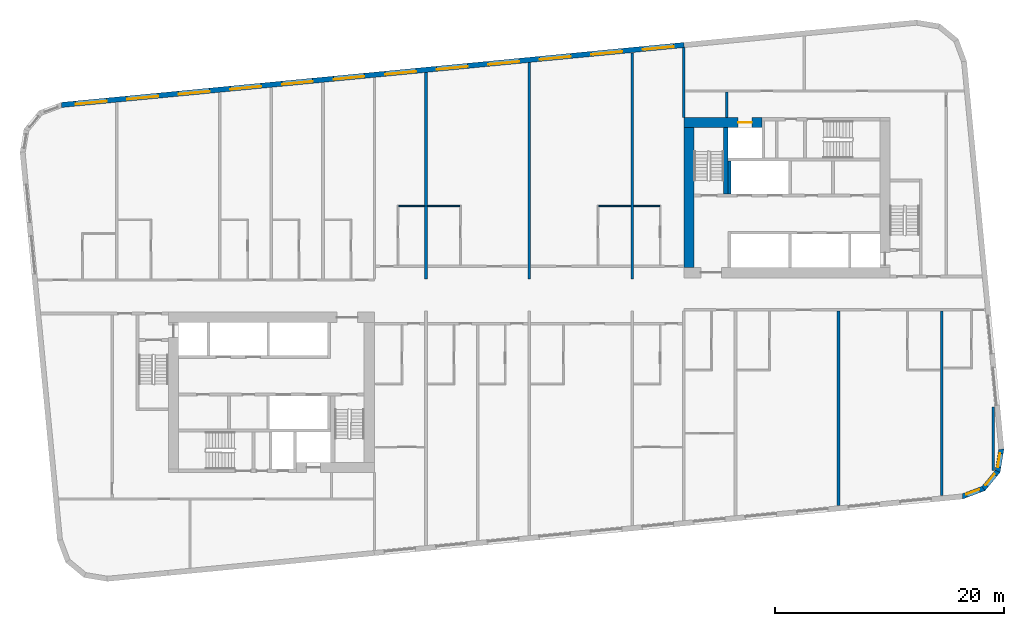
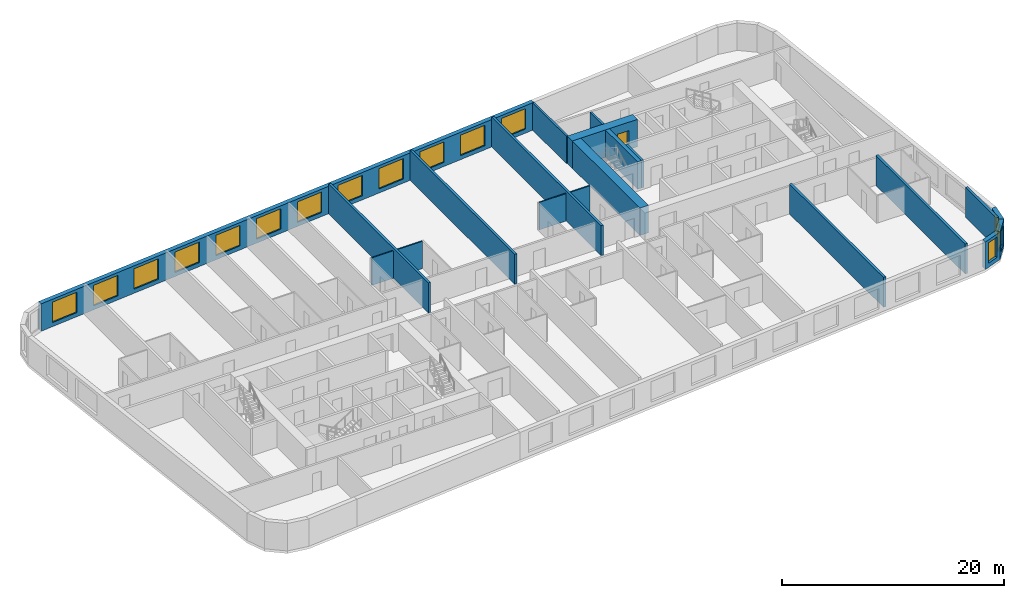
# One storey, part 6 of 12: 20 walls, 15 windows, 1 door, 16 openings.
"""IFC4 building model written with IfcOpenShell, lengths in metres."""

from ifc_helpers import new_model, si_unit, direction, frame, frame_2d, origin, place, context, subcontext, project, spatial, polyline, rectangle, outline, extrude, material, layer, layer_set, type_object, element, fill, save


model = new_model("IFC4")

# Units and contexts
model_context = context("Model", 3, precision=1e-05, world=origin(), true_north=direction((0.0, 1.0)))
body_context = subcontext(model_context, "Body", "Model", "MODEL_VIEW")
ifc_project = project(units=[si_unit("LENGTHUNIT", "METRE"), si_unit("AREAUNIT", "SQUARE_METRE"), si_unit("VOLUMEUNIT", "CUBIC_METRE"), si_unit("PLANEANGLEUNIT", "RADIAN"), si_unit("MASSUNIT", "GRAM", prefix="KILO")], contexts=[model_context])

# Site, building, storey
site_placement = place(None, origin())
site = spatial("IfcSite", under=ifc_project, at=site_placement, CompositionType="ELEMENT")
building_placement = place(site_placement, origin())
building = spatial("IfcBuilding", under=site, at=building_placement, Name="Kajstack Hotel Tower", CompositionType="ELEMENT")
storey_placement = place(building_placement, frame((0.0, 0.0, 183.39990234375)))
storey = spatial("IfcBuildingStorey", under=building, at=storey_placement, Name="L43", CompositionType="ELEMENT", Elevation=183.39990234375)

# Wall, opening, door
ifc_material_1 = material(Name="Concrete C60/75", Category="concrete")
ifc_layer_1 = layer(ifc_material_1, 0.89990234375)
ifc_layer_set_1 = layer_set([ifc_layer_1], Name="Core wall 900")
wall_type_1 = type_object("IfcWallType", Name="Core wall 900", PredefinedType="SHEAR", material=ifc_layer_set_1)
wall_1_placement = place(storey_placement, frame((13.5, 15.050048828125, 0.0), z_axis=(0.0, 0.0, 1.0), x_axis=(1.0, 0.0, 0.0)))
wall_1 = element("IfcWall", 1, at=wall_1_placement, inside=storey, type_object=wall_type_1, Name="Core wall E RS", PredefinedType="SHEAR", context=body_context, shape_type="SweptSolid", body=[
    extrude(rectangle(XDim=6.800048828125, YDim=0.89990234375, at=frame_2d((3.39990234375, 0.0))), origin(), (0.0, 0.0, 1.0), 3.02001953125),
])
opening_1_placement = place(wall_1_placement, frame((4.72509765625, 0.0, 0.0)))
opening_1 = element("IfcOpeningElement", 2, at=opening_1_placement, cuts=wall_1, Name="Opening LD-SV2", PredefinedType="OPENING", context=body_context, shape_type="SweptSolid", body=[
    extrude(rectangle(XDim=1.199951171875, YDim=2.10009765625, at=frame_2d((0.60009765625, 1.050048828125))), frame((0.0, 0.4599609375, 0.0), z_axis=(0.0, -1.0, 0.0), x_axis=(1.0, 0.0, 0.0)), (0.0, 0.0, 1.0), 0.919921875),
])
ifc_material_2 = material(Name="Stainless steel", Category="steel")
door_type = type_object("IfcDoorType", Name="Lift landing door 1200", OperationType="SLIDING_TO_LEFT", PredefinedType="DOOR", material=ifc_material_2)
door_placement = place(opening_1_placement, origin())
door = element("IfcDoor", 3, at=door_placement, inside=storey, type_object=door_type, Name="Landing door SV2", OperationType="SLIDING_TO_LEFT", OverallHeight=2.10009765625, OverallWidth=1.199951171875, PredefinedType="DOOR", context=body_context, shape_type="SweptSolid", body=[
    extrude(rectangle(XDim=1.199951171875, YDim=2.10009765625, at=frame_2d((0.60009765625, 1.050048828125))), frame((0.0, 0.02490234375, 0.0), z_axis=(0.0, -1.0, 0.0), x_axis=(1.0, 0.0, 0.0)), (0.0, 0.0, 1.0), 0.050048828125),
])
fill(opening_1, door)

# Walls
wall_2_placement = place(storey_placement, frame((13.949951171875, 2.39990234375, 0.0), z_axis=(0.0, 0.0, 1.0), x_axis=(0.0, 1.0, 0.0)))
element("IfcWall", 4, at=wall_2_placement, inside=storey, type_object=wall_type_1, Name="Core wall E RE", PredefinedType="SHEAR", context=body_context, shape_type="SweptSolid", body=[
    extrude(rectangle(XDim=12.2001953125, YDim=0.89990234375, at=frame_2d((6.10009765625, 0.0))), origin(), (0.0, 0.0, 1.0), 3.02001953125),
])
ifc_material_3 = material(Name="Twin-frame gypsum board on steel studs, mineral wool", Category="steel")
ifc_layer_2 = layer(ifc_material_3, 0.199951171875)
ifc_layer_set_2 = layer_set([ifc_layer_2], Name="Demising wall 200")
wall_type_2 = type_object("IfcWallType", Name="Demising wall 200", PredefinedType="PARTITIONING", material=ifc_layer_set_2)
wall_3_placement = place(storey_placement, frame((13.5, 15.5, 0.0), z_axis=(0.0, 0.0, 1.0), x_axis=(0.0, 1.0, 0.0)))
element("IfcWall", 5, at=wall_3_placement, inside=storey, type_object=wall_type_2, Name="G-wall-L43-001", PredefinedType="PARTITIONING", context=body_context, shape_type="SweptSolid", body=[
    extrude(rectangle(XDim=6.089111328125, YDim=0.199951171875, at=frame_2d((3.04443359375, 0.0))), origin(), (0.0, 0.0, 1.0), 3.02001953125),
])

# Wall, opening, window
ifc_material_4 = material(Name="Terracotta-faced brick masonry", Category="masonry")
ifc_layer_3 = layer(ifc_material_4, 0.449951171875)
ifc_layer_set_3 = layer_set([ifc_layer_3], Name="EW-TERRA")
wall_type_3 = type_object("IfcWallType", Name="EW-TERRA", PredefinedType="SOLIDWALL", material=ifc_layer_set_3)
wall_4_placement = place(storey_placement, frame((37.76123046875, -17.598388671875, 0.0), z_axis=(0.0, 0.0, 1.0), x_axis=(0.936677599948, 0.350192909346, 0.0)))
wall_4 = element("IfcWall", 6, at=wall_4_placement, inside=storey, type_object=wall_type_3, Name="E-wall-L43-05-00", PredefinedType="SOLIDWALL", context=body_context, shape_type="SweptSolid", body=[
    extrude(outline(polyline([(0.0, -0.22509765625), (2.070556640625, -0.224853515625), (1.949951171875, 0.22509765625), (0.12060546875, 0.22509765625), (0.0, -0.22509765625)])), origin(), (0.0, 0.0, 1.0), 3.02001953125),
])
opening_2_placement = place(wall_4_placement, frame((0.435302734375, 0.0, 0.449951171875)))
opening_2 = element("IfcOpeningElement", 7, at=opening_2_placement, cuts=wall_4, Name="Opening W3", PredefinedType="OPENING", context=body_context, shape_type="SweptSolid", body=[
    extrude(rectangle(XDim=1.199951171875, YDim=2.25, at=frame_2d((0.60009765625, 1.125))), frame((0.0, 0.23486328125, 0.0), z_axis=(0.0, -1.0, 0.0), x_axis=(1.0, 0.0, 0.0)), (0.0, 0.0, 1.0), 0.469970703125),
])
ifc_material_5 = material(Name="Timber-aluminium window, triple glazed", Category="wood")
window_type_1 = type_object("IfcWindowType", Name="WG3", PartitioningType="SINGLE_PANEL", PredefinedType="WINDOW", material=ifc_material_5)
window_1_placement = place(opening_2_placement, origin())
window_1 = element("IfcWindow", 8, at=window_1_placement, inside=storey, type_object=window_type_1, Name="Window W3 L43-05", OverallHeight=2.25, OverallWidth=1.199951171875, PartitioningType="SINGLE_PANEL", PredefinedType="WINDOW", context=body_context, shape_type="SweptSolid", body=[
    extrude(rectangle(XDim=1.199951171875, YDim=2.25, at=frame_2d((0.60009765625, 1.125))), frame((0.0, 0.090087890625, 0.0), z_axis=(0.0, -1.0, 0.0), x_axis=(1.0, 0.0, 0.0)), (0.0, 0.0, 1.0), 0.06005859375),
])
fill(opening_2, window_1)

wall_5_placement = place(storey_placement, frame((39.60595703125, -16.94091796875, 0.0), z_axis=(0.0, 0.0, 1.0), x_axis=(0.636116318187, 0.771593176315, 0.0)))
wall_5 = element("IfcWall", 9, at=wall_5_placement, inside=storey, type_object=wall_type_3, Name="E-wall-L43-06-00", PredefinedType="SOLIDWALL", context=body_context, shape_type="SweptSolid", body=[
    extrude(outline(polyline([(0.0, -0.224853515625), (2.070556640625, -0.224853515625), (1.949951171875, 0.22509765625), (0.12060546875, 0.22509765625), (0.0, -0.224853515625)])), origin(), (0.0, 0.0, 1.0), 3.02001953125),
])
opening_3_placement = place(wall_5_placement, frame((0.435302734375, 0.0, 0.449951171875)))
opening_3 = element("IfcOpeningElement", 10, at=opening_3_placement, cuts=wall_5, Name="Opening W3", PredefinedType="OPENING", context=body_context, shape_type="SweptSolid", body=[
    extrude(rectangle(XDim=1.199951171875, YDim=2.25, at=frame_2d((0.60009765625, 1.125))), frame((0.0, 0.23486328125, 0.0), z_axis=(0.0, -1.0, 0.0), x_axis=(1.0, 0.0, 0.0)), (0.0, 0.0, 1.0), 0.469970703125),
])
window_2_placement = place(opening_3_placement, origin())
window_2 = element("IfcWindow", 11, at=window_2_placement, inside=storey, type_object=window_type_1, Name="Window W3 L43-06", OverallHeight=2.25, OverallWidth=1.199951171875, PartitioningType="SINGLE_PANEL", PredefinedType="WINDOW", context=body_context, shape_type="SweptSolid", body=[
    extrude(rectangle(XDim=1.199951171875, YDim=2.25, at=frame_2d((0.60009765625, 1.125))), frame((0.0, 0.090087890625, 0.0), z_axis=(0.0, -1.0, 0.0), x_axis=(1.0, 0.0, 0.0)), (0.0, 0.0, 1.0), 0.06005859375),
])
fill(opening_3, window_2)

wall_6_placement = place(storey_placement, frame((40.874755859375, -15.44921875, 0.0), z_axis=(0.0, 0.0, 1.0), x_axis=(0.164953448126, 0.986301353518, 0.0)))
wall_6 = element("IfcWall", 12, at=wall_6_placement, inside=storey, type_object=wall_type_3, Name="E-wall-L43-07-00", PredefinedType="SOLIDWALL", context=body_context, shape_type="SweptSolid", body=[
    extrude(outline(polyline([(0.0, -0.224853515625), (2.070556640625, -0.22509765625), (1.9501953125, 0.224853515625), (0.12060546875, 0.22509765625), (0.0, -0.224853515625)])), origin(), (0.0, 0.0, 1.0), 3.02001953125),
])
opening_4_placement = place(wall_6_placement, frame((0.435302734375, 0.0, 0.449951171875)))
opening_4 = element("IfcOpeningElement", 13, at=opening_4_placement, cuts=wall_6, Name="Opening W3", PredefinedType="OPENING", context=body_context, shape_type="SweptSolid", body=[
    extrude(rectangle(XDim=1.199951171875, YDim=2.25, at=frame_2d((0.60009765625, 1.125))), frame((0.0, 0.23486328125, 0.0), z_axis=(0.0, -1.0, 0.0), x_axis=(1.0, 0.0, 0.0)), (0.0, 0.0, 1.0), 0.469970703125),
])
window_3_placement = place(opening_4_placement, origin())
window_3 = element("IfcWindow", 14, at=window_3_placement, inside=storey, type_object=window_type_1, Name="Window W3 L43-07", OverallHeight=2.25, OverallWidth=1.199951171875, PartitioningType="SINGLE_PANEL", PredefinedType="WINDOW", context=body_context, shape_type="SweptSolid", body=[
    extrude(rectangle(XDim=1.199951171875, YDim=2.25, at=frame_2d((0.60009765625, 1.125))), frame((0.0, 0.090087890625, 0.0), z_axis=(0.0, -1.0, 0.0), x_axis=(1.0, 0.0, 0.0)), (0.0, 0.0, 1.0), 0.06005859375),
])
fill(opening_4, window_3)

# Wall, openings, windows
wall_7_placement = place(storey_placement, frame((13.521484375, 21.8173828125, 0.0), z_axis=(0.0, 0.0, 1.0), x_axis=(-0.995396508751, -0.095842529008, 0.0)))
wall_7 = element("IfcWall", 15, at=wall_7_placement, inside=storey, type_object=wall_type_3, Name="E-wall-L43-12-02", PredefinedType="SOLIDWALL", context=body_context, shape_type="SweptSolid", body=[
    extrude(rectangle(XDim=54.59130859375, YDim=0.449951171875, at=frame_2d((27.295654296875, 0.0))), origin(), (0.0, 0.0, 1.0), 3.02001953125),
])
opening_5_placement = place(wall_7_placement, frame((0.910400390625, 0.0, 0.449951171875)))
opening_5 = element("IfcOpeningElement", 16, at=opening_5_placement, cuts=wall_7, Name="Opening W1", PredefinedType="OPENING", context=body_context, shape_type="SweptSolid", body=[
    extrude(rectangle(XDim=2.699951171875, YDim=2.25, at=frame_2d((1.35009765625, 1.125))), frame((0.0, 0.23486328125, 0.0), z_axis=(0.0, -1.0, 0.0), x_axis=(1.0, 0.0, 0.0)), (0.0, 0.0, 1.0), 0.469970703125),
])
opening_6_placement = place(wall_7_placement, frame((5.43115234375, 0.0, 0.449951171875)))
opening_6 = element("IfcOpeningElement", 17, at=opening_6_placement, cuts=wall_7, Name="Opening W1", PredefinedType="OPENING", context=body_context, shape_type="SweptSolid", body=[
    extrude(rectangle(XDim=2.699951171875, YDim=2.25, at=frame_2d((1.35009765625, 1.125))), frame((0.0, 0.23486328125, 0.0), z_axis=(0.0, -1.0, 0.0), x_axis=(1.0, 0.0, 0.0)), (0.0, 0.0, 1.0), 0.469970703125),
])
opening_7_placement = place(wall_7_placement, frame((9.951904296875, 0.0, 0.449951171875)))
opening_7 = element("IfcOpeningElement", 18, at=opening_7_placement, cuts=wall_7, Name="Opening W1", PredefinedType="OPENING", context=body_context, shape_type="SweptSolid", body=[
    extrude(rectangle(XDim=2.699951171875, YDim=2.25, at=frame_2d((1.35009765625, 1.125))), frame((0.0, 0.23486328125, 0.0), z_axis=(0.0, -1.0, 0.0), x_axis=(1.0, 0.0, 0.0)), (0.0, 0.0, 1.0), 0.469970703125),
])
opening_8_placement = place(wall_7_placement, frame((14.472900390625, 0.0, 0.449951171875)))
opening_8 = element("IfcOpeningElement", 19, at=opening_8_placement, cuts=wall_7, Name="Opening W1", PredefinedType="OPENING", context=body_context, shape_type="SweptSolid", body=[
    extrude(rectangle(XDim=2.699951171875, YDim=2.25, at=frame_2d((1.35009765625, 1.125))), frame((0.0, 0.23486328125, 0.0), z_axis=(0.0, -1.0, 0.0), x_axis=(1.0, 0.0, 0.0)), (0.0, 0.0, 1.0), 0.469970703125),
])
opening_9_placement = place(wall_7_placement, frame((18.99365234375, 0.0, 0.449951171875)))
opening_9 = element("IfcOpeningElement", 20, at=opening_9_placement, cuts=wall_7, Name="Opening W1", PredefinedType="OPENING", context=body_context, shape_type="SweptSolid", body=[
    extrude(rectangle(XDim=2.699951171875, YDim=2.25, at=frame_2d((1.35009765625, 1.125))), frame((0.0, 0.23486328125, 0.0), z_axis=(0.0, -1.0, 0.0), x_axis=(1.0, 0.0, 0.0)), (0.0, 0.0, 1.0), 0.469970703125),
])
opening_10_placement = place(wall_7_placement, frame((23.514404296875, 0.0, 0.449951171875)))
opening_10 = element("IfcOpeningElement", 21, at=opening_10_placement, cuts=wall_7, Name="Opening W1", PredefinedType="OPENING", context=body_context, shape_type="SweptSolid", body=[
    extrude(rectangle(XDim=2.699951171875, YDim=2.25, at=frame_2d((1.35009765625, 1.125))), frame((0.0, 0.23486328125, 0.0), z_axis=(0.0, -1.0, 0.0), x_axis=(1.0, 0.0, 0.0)), (0.0, 0.0, 1.0), 0.469970703125),
])
opening_11_placement = place(wall_7_placement, frame((28.03515625, 0.0, 0.449951171875)))
opening_11 = element("IfcOpeningElement", 22, at=opening_11_placement, cuts=wall_7, Name="Opening W1", PredefinedType="OPENING", context=body_context, shape_type="SweptSolid", body=[
    extrude(rectangle(XDim=2.699951171875, YDim=2.25, at=frame_2d((1.35009765625, 1.125))), frame((0.0, 0.23486328125, 0.0), z_axis=(0.0, -1.0, 0.0), x_axis=(1.0, 0.0, 0.0)), (0.0, 0.0, 1.0), 0.469970703125),
])
opening_12_placement = place(wall_7_placement, frame((32.555908203125, 0.0, 0.449951171875)))
opening_12 = element("IfcOpeningElement", 23, at=opening_12_placement, cuts=wall_7, Name="Opening W1", PredefinedType="OPENING", context=body_context, shape_type="SweptSolid", body=[
    extrude(rectangle(XDim=2.699951171875, YDim=2.25, at=frame_2d((1.35009765625, 1.125))), frame((0.0, 0.23486328125, 0.0), z_axis=(0.0, -1.0, 0.0), x_axis=(1.0, 0.0, 0.0)), (0.0, 0.0, 1.0), 0.469970703125),
])
opening_13_placement = place(wall_7_placement, frame((37.076904296875, 0.0, 0.449951171875)))
opening_13 = element("IfcOpeningElement", 24, at=opening_13_placement, cuts=wall_7, Name="Opening W1", PredefinedType="OPENING", context=body_context, shape_type="SweptSolid", body=[
    extrude(rectangle(XDim=2.699951171875, YDim=2.25, at=frame_2d((1.35009765625, 1.125))), frame((0.0, 0.23486328125, 0.0), z_axis=(0.0, -1.0, 0.0), x_axis=(1.0, 0.0, 0.0)), (0.0, 0.0, 1.0), 0.469970703125),
])
opening_14_placement = place(wall_7_placement, frame((41.59765625, 0.0, 0.449951171875)))
opening_14 = element("IfcOpeningElement", 25, at=opening_14_placement, cuts=wall_7, Name="Opening W1", PredefinedType="OPENING", context=body_context, shape_type="SweptSolid", body=[
    extrude(rectangle(XDim=2.699951171875, YDim=2.25, at=frame_2d((1.35009765625, 1.125))), frame((0.0, 0.23486328125, 0.0), z_axis=(0.0, -1.0, 0.0), x_axis=(1.0, 0.0, 0.0)), (0.0, 0.0, 1.0), 0.469970703125),
])
opening_15_placement = place(wall_7_placement, frame((46.118408203125, 0.0, 0.449951171875)))
opening_15 = element("IfcOpeningElement", 26, at=opening_15_placement, cuts=wall_7, Name="Opening W1", PredefinedType="OPENING", context=body_context, shape_type="SweptSolid", body=[
    extrude(rectangle(XDim=2.699951171875, YDim=2.25, at=frame_2d((1.35009765625, 1.125))), frame((0.0, 0.23486328125, 0.0), z_axis=(0.0, -1.0, 0.0), x_axis=(1.0, 0.0, 0.0)), (0.0, 0.0, 1.0), 0.469970703125),
])
opening_16_placement = place(wall_7_placement, frame((50.62890625, 0.0, 0.449951171875)))
opening_16 = element("IfcOpeningElement", 27, at=opening_16_placement, cuts=wall_7, Name="Opening W1", PredefinedType="OPENING", context=body_context, shape_type="SweptSolid", body=[
    extrude(rectangle(XDim=2.699951171875, YDim=2.25, at=frame_2d((1.35009765625, 1.125))), frame((0.0, 0.23486328125, 0.0), z_axis=(0.0, -1.0, 0.0), x_axis=(1.0, 0.0, 0.0)), (0.0, 0.0, 1.0), 0.469970703125),
])
window_type_2 = type_object("IfcWindowType", Name="WG1", PartitioningType="SINGLE_PANEL", PredefinedType="WINDOW", material=ifc_material_5)
window_4_placement = place(opening_5_placement, origin())
window_4 = element("IfcWindow", 28, at=window_4_placement, inside=storey, type_object=window_type_2, Name="Window W1 L43-12", OverallHeight=2.25, OverallWidth=2.699951171875, PartitioningType="SINGLE_PANEL", PredefinedType="WINDOW", context=body_context, shape_type="SweptSolid", body=[
    extrude(rectangle(XDim=2.699951171875, YDim=2.25, at=frame_2d((1.35009765625, 1.125))), frame((0.0, 0.090087890625, 0.0), z_axis=(0.0, -1.0, 0.0), x_axis=(1.0, 0.0, 0.0)), (0.0, 0.0, 1.0), 0.06005859375),
])
fill(opening_5, window_4)
window_5_placement = place(opening_6_placement, origin())
window_5 = element("IfcWindow", 29, at=window_5_placement, inside=storey, type_object=window_type_2, Name="Window W1 L43-12", OverallHeight=2.25, OverallWidth=2.699951171875, PartitioningType="SINGLE_PANEL", PredefinedType="WINDOW", context=body_context, shape_type="SweptSolid", body=[
    extrude(rectangle(XDim=2.699951171875, YDim=2.25, at=frame_2d((1.35009765625, 1.125))), frame((0.0, 0.090087890625, 0.0), z_axis=(0.0, -1.0, 0.0), x_axis=(1.0, 0.0, 0.0)), (0.0, 0.0, 1.0), 0.06005859375),
])
fill(opening_6, window_5)
window_6_placement = place(opening_7_placement, origin())
window_6 = element("IfcWindow", 30, at=window_6_placement, inside=storey, type_object=window_type_2, Name="Window W1 L43-12", OverallHeight=2.25, OverallWidth=2.699951171875, PartitioningType="SINGLE_PANEL", PredefinedType="WINDOW", context=body_context, shape_type="SweptSolid", body=[
    extrude(rectangle(XDim=2.699951171875, YDim=2.25, at=frame_2d((1.35009765625, 1.125))), frame((0.0, 0.090087890625, 0.0), z_axis=(0.0, -1.0, 0.0), x_axis=(1.0, 0.0, 0.0)), (0.0, 0.0, 1.0), 0.06005859375),
])
fill(opening_7, window_6)
window_7_placement = place(opening_8_placement, origin())
window_7 = element("IfcWindow", 31, at=window_7_placement, inside=storey, type_object=window_type_2, Name="Window W1 L43-12", OverallHeight=2.25, OverallWidth=2.699951171875, PartitioningType="SINGLE_PANEL", PredefinedType="WINDOW", context=body_context, shape_type="SweptSolid", body=[
    extrude(rectangle(XDim=2.699951171875, YDim=2.25, at=frame_2d((1.35009765625, 1.125))), frame((0.0, 0.090087890625, 0.0), z_axis=(0.0, -1.0, 0.0), x_axis=(1.0, 0.0, 0.0)), (0.0, 0.0, 1.0), 0.06005859375),
])
fill(opening_8, window_7)
window_8_placement = place(opening_9_placement, origin())
window_8 = element("IfcWindow", 32, at=window_8_placement, inside=storey, type_object=window_type_2, Name="Window W1 L43-12", OverallHeight=2.25, OverallWidth=2.699951171875, PartitioningType="SINGLE_PANEL", PredefinedType="WINDOW", context=body_context, shape_type="SweptSolid", body=[
    extrude(rectangle(XDim=2.699951171875, YDim=2.25, at=frame_2d((1.35009765625, 1.125))), frame((0.0, 0.090087890625, 0.0), z_axis=(0.0, -1.0, 0.0), x_axis=(1.0, 0.0, 0.0)), (0.0, 0.0, 1.0), 0.06005859375),
])
fill(opening_9, window_8)
window_9_placement = place(opening_10_placement, origin())
window_9 = element("IfcWindow", 33, at=window_9_placement, inside=storey, type_object=window_type_2, Name="Window W1 L43-12", OverallHeight=2.25, OverallWidth=2.699951171875, PartitioningType="SINGLE_PANEL", PredefinedType="WINDOW", context=body_context, shape_type="SweptSolid", body=[
    extrude(rectangle(XDim=2.699951171875, YDim=2.25, at=frame_2d((1.35009765625, 1.125))), frame((0.0, 0.090087890625, 0.0), z_axis=(0.0, -1.0, 0.0), x_axis=(1.0, 0.0, 0.0)), (0.0, 0.0, 1.0), 0.06005859375),
])
fill(opening_10, window_9)
window_10_placement = place(opening_11_placement, origin())
window_10 = element("IfcWindow", 34, at=window_10_placement, inside=storey, type_object=window_type_2, Name="Window W1 L43-12", OverallHeight=2.25, OverallWidth=2.699951171875, PartitioningType="SINGLE_PANEL", PredefinedType="WINDOW", context=body_context, shape_type="SweptSolid", body=[
    extrude(rectangle(XDim=2.699951171875, YDim=2.25, at=frame_2d((1.35009765625, 1.125))), frame((0.0, 0.090087890625, 0.0), z_axis=(0.0, -1.0, 0.0), x_axis=(1.0, 0.0, 0.0)), (0.0, 0.0, 1.0), 0.06005859375),
])
fill(opening_11, window_10)
window_11_placement = place(opening_12_placement, origin())
window_11 = element("IfcWindow", 35, at=window_11_placement, inside=storey, type_object=window_type_2, Name="Window W1 L43-12", OverallHeight=2.25, OverallWidth=2.699951171875, PartitioningType="SINGLE_PANEL", PredefinedType="WINDOW", context=body_context, shape_type="SweptSolid", body=[
    extrude(rectangle(XDim=2.699951171875, YDim=2.25, at=frame_2d((1.35009765625, 1.125))), frame((0.0, 0.090087890625, 0.0), z_axis=(0.0, -1.0, 0.0), x_axis=(1.0, 0.0, 0.0)), (0.0, 0.0, 1.0), 0.06005859375),
])
fill(opening_12, window_11)
window_12_placement = place(opening_13_placement, origin())
window_12 = element("IfcWindow", 36, at=window_12_placement, inside=storey, type_object=window_type_2, Name="Window W1 L43-12", OverallHeight=2.25, OverallWidth=2.699951171875, PartitioningType="SINGLE_PANEL", PredefinedType="WINDOW", context=body_context, shape_type="SweptSolid", body=[
    extrude(rectangle(XDim=2.699951171875, YDim=2.25, at=frame_2d((1.35009765625, 1.125))), frame((0.0, 0.090087890625, 0.0), z_axis=(0.0, -1.0, 0.0), x_axis=(1.0, 0.0, 0.0)), (0.0, 0.0, 1.0), 0.06005859375),
])
fill(opening_13, window_12)
window_13_placement = place(opening_14_placement, origin())
window_13 = element("IfcWindow", 37, at=window_13_placement, inside=storey, type_object=window_type_2, Name="Window W1 L43-12", OverallHeight=2.25, OverallWidth=2.699951171875, PartitioningType="SINGLE_PANEL", PredefinedType="WINDOW", context=body_context, shape_type="SweptSolid", body=[
    extrude(rectangle(XDim=2.699951171875, YDim=2.25, at=frame_2d((1.35009765625, 1.125))), frame((0.0, 0.090087890625, 0.0), z_axis=(0.0, -1.0, 0.0), x_axis=(1.0, 0.0, 0.0)), (0.0, 0.0, 1.0), 0.06005859375),
])
fill(opening_14, window_13)
window_14_placement = place(opening_15_placement, origin())
window_14 = element("IfcWindow", 38, at=window_14_placement, inside=storey, type_object=window_type_2, Name="Window W1 L43-12", OverallHeight=2.25, OverallWidth=2.699951171875, PartitioningType="SINGLE_PANEL", PredefinedType="WINDOW", context=body_context, shape_type="SweptSolid", body=[
    extrude(rectangle(XDim=2.699951171875, YDim=2.25, at=frame_2d((1.35009765625, 1.125))), frame((0.0, 0.090087890625, 0.0), z_axis=(0.0, -1.0, 0.0), x_axis=(1.0, 0.0, 0.0)), (0.0, 0.0, 1.0), 0.06005859375),
])
fill(opening_15, window_14)
window_15_placement = place(opening_16_placement, origin())
window_15 = element("IfcWindow", 39, at=window_15_placement, inside=storey, type_object=window_type_2, Name="Window W1 L43-12", OverallHeight=2.25, OverallWidth=2.699951171875, PartitioningType="SINGLE_PANEL", PredefinedType="WINDOW", context=body_context, shape_type="SweptSolid", body=[
    extrude(rectangle(XDim=2.699951171875, YDim=2.25, at=frame_2d((1.35009765625, 1.125))), frame((0.0, 0.090087890625, 0.0), z_axis=(0.0, -1.0, 0.0), x_axis=(1.0, 0.0, 0.0)), (0.0, 0.0, 1.0), 0.06005859375),
])
fill(opening_16, window_15)

# Walls
ifc_material_6 = material(Name="Gypsum board and tiled backer on steel studs", Category="steel")
ifc_layer_4 = layer(ifc_material_6, 0.125)
ifc_layer_set_4 = layer_set([ifc_layer_4], Name="En-suite wall 125")
wall_type_4 = type_object("IfcWallType", Name="En-suite wall 125", PredefinedType="PARTITIONING", material=ifc_layer_set_4)
wall_8_placement = place(storey_placement, frame((-11.375, 7.761962890625, 0.0), z_axis=(0.0, 0.0, 1.0), x_axis=(1.0, 0.0, 0.0)))
element("IfcWall", 40, at=wall_8_placement, inside=storey, type_object=wall_type_4, Name="G-wall-L43-018", PredefinedType="PARTITIONING", context=body_context, shape_type="SweptSolid", body=[
    extrude(rectangle(XDim=2.25, YDim=0.125, at=frame_2d((1.125, 0.0))), origin(), (0.0, 0.0, 1.0), 3.02001953125),
])
for number, where, z_axis, x_axis, name in (
    (41, (-8.875, 7.761962890625, 0.0), (0.0, 0.0, 1.0), (1.0, 0.0, 0.0), "G-wall-L43-020"),
    (42, (6.074951171875, 7.761962890625, 0.0), (0.0, 0.0, 1.0), (1.0, 0.0, 0.0), "G-wall-L43-022"),
):
    element("IfcWall", number, at=place(storey_placement, frame(where, z_axis=z_axis, x_axis=x_axis)), inside=storey, type_object=wall_type_4, Name=name, PredefinedType="PARTITIONING", context=body_context, shape_type="SweptSolid", body=[
        extrude(rectangle(XDim=2.800048828125, YDim=0.125, at=frame_2d((1.39990234375, 0.0))), origin(), (0.0, 0.0, 1.0), 3.02001953125),
    ])
wall_9_placement = place(storey_placement, frame((9.125, 7.761962890625, 0.0), z_axis=(0.0, 0.0, 1.0), x_axis=(1.0, 0.0, 0.0)))
element("IfcWall", 43, at=wall_9_placement, inside=storey, type_object=wall_type_4, Name="G-wall-L43-024", PredefinedType="PARTITIONING", context=body_context, shape_type="SweptSolid", body=[
    extrude(rectangle(XDim=2.25, YDim=0.125, at=frame_2d((1.125, 0.0))), origin(), (0.0, 0.0, 1.0), 3.02001953125),
])
ifc_material_7 = material(Name="Concrete C50/60", Category="concrete")
ifc_layer_5 = layer(ifc_material_7, 0.25)
ifc_layer_set_5 = layer_set([ifc_layer_5], Name="RC cross wall 250 C50/60")
wall_type_5 = type_object("IfcWallType", Name="RC cross wall 250 C50/60", PredefinedType="SHEAR", material=ifc_layer_set_5)
wall_10_placement = place(storey_placement, frame((-9.0, 1.39990234375, 0.0), z_axis=(0.0, 0.0, 1.0), x_axis=(0.0, 1.0, 0.0)))
element("IfcWall", 44, at=wall_10_placement, inside=storey, type_object=wall_type_5, Name="S-wall-L43-05", PredefinedType="SHEAR", context=body_context, shape_type="SweptSolid", body=[
    extrude(rectangle(XDim=18.0009765625, YDim=0.25, at=frame_2d((9.00048828125, 0.0))), origin(), (0.0, 0.0, 1.0), 3.300048828125),
])
wall_11_placement = place(storey_placement, frame((0.0, 1.39990234375, 0.0), z_axis=(0.0, 0.0, 1.0), x_axis=(0.0, 1.0, 0.0)))
element("IfcWall", 45, at=wall_11_placement, inside=storey, type_object=wall_type_5, Name="S-wall-L43-07", PredefinedType="SHEAR", context=body_context, shape_type="SweptSolid", body=[
    extrude(rectangle(XDim=18.867431640625, YDim=0.25, at=frame_2d((9.43359375, 0.0))), origin(), (0.0, 0.0, 1.0), 3.300048828125),
])
wall_12_placement = place(storey_placement, frame((9.0, 1.39990234375, 0.0), z_axis=(0.0, 0.0, 1.0), x_axis=(0.0, 1.0, 0.0)))
element("IfcWall", 46, at=wall_12_placement, inside=storey, type_object=wall_type_5, Name="S-wall-L43-09", PredefinedType="SHEAR", context=body_context, shape_type="SweptSolid", body=[
    extrude(rectangle(XDim=19.734130859375, YDim=0.25, at=frame_2d((9.8671875, 0.0))), origin(), (0.0, 0.0, 1.0), 3.300048828125),
])
wall_13_placement = place(storey_placement, frame((27.0, -18.378662109375, 0.0), z_axis=(0.0, 0.0, 1.0), x_axis=(0.0, 1.0, 0.0)))
element("IfcWall", 47, at=wall_13_placement, inside=storey, type_object=wall_type_5, Name="S-wall-L43-11", PredefinedType="SHEAR", context=body_context, shape_type="SweptSolid", body=[
    extrude(rectangle(XDim=16.978759765625, YDim=0.25, at=frame_2d((8.4892578125, 0.0))), origin(), (0.0, 0.0, 1.0), 3.300048828125),
])
wall_14_placement = place(storey_placement, frame((36.0, -17.51220703125, 0.0), z_axis=(0.0, 0.0, 1.0), x_axis=(0.0, 1.0, 0.0)))
element("IfcWall", 48, at=wall_14_placement, inside=storey, type_object=wall_type_5, Name="S-wall-L43-12", PredefinedType="SHEAR", context=body_context, shape_type="SweptSolid", body=[
    extrude(rectangle(XDim=16.1123046875, YDim=0.25, at=frame_2d((8.05615234375, 0.0))), origin(), (0.0, 0.0, 1.0), 3.300048828125),
])
wall_15_placement = place(storey_placement, frame((40.5, -15.335205078125, 0.0), z_axis=(0.0, 0.0, 1.0), x_axis=(0.0, 1.0, 0.0)))
element("IfcWall", 49, at=wall_15_placement, inside=storey, type_object=wall_type_5, Name="S-wall-L43-13", PredefinedType="SHEAR", context=body_context, shape_type="SweptSolid", body=[
    extrude(rectangle(XDim=5.5380859375, YDim=0.25, at=frame_2d((2.76904296875, 0.0))), origin(), (0.0, 0.0, 1.0), 3.300048828125),
])
ifc_material_8 = material(Name="Gypsum board on steel studs, mineral wool", Category="steel")
ifc_layer_6 = layer(ifc_material_8, 0.199951171875)
ifc_layer_set_6 = layer_set([ifc_layer_6], Name="Service partition 200")
wall_type_6 = type_object("IfcWallType", Name="Service partition 200", PredefinedType="PARTITIONING", material=ifc_layer_set_6)
wall_16_placement = place(storey_placement, frame((17.25, 15.5, 0.0), z_axis=(0.0, 0.0, 1.0), x_axis=(0.0, 1.0, 0.0)))
element("IfcWall", 50, at=wall_16_placement, inside=storey, type_object=wall_type_6, Name="Partition E SCE", PredefinedType="PARTITIONING", context=body_context, shape_type="SweptSolid", body=[
    extrude(rectangle(XDim=2.199951171875, YDim=0.199951171875, at=frame_2d((1.10009765625, 0.0))), origin(), (0.0, 0.0, 1.0), 3.02001953125),
])
ifc_layer_7 = layer(ifc_material_7, 0.25)
ifc_layer_set_7 = layer_set([ifc_layer_7], Name="Shaft wall 250")
wall_type_7 = type_object("IfcWallType", Name="Shaft wall 250", PredefinedType="SHEAR", material=ifc_layer_set_7)
wall_17_placement = place(storey_placement, frame((17.47509765625, 8.800048828125, 0.0), z_axis=(0.0, 0.0, 1.0), x_axis=(0.0, 1.0, 0.0)))
element("IfcWall", 51, at=wall_17_placement, inside=storey, type_object=wall_type_7, Name="Core wall E BE", PredefinedType="SHEAR", context=body_context, shape_type="SweptSolid", body=[
    extrude(rectangle(XDim=2.89990234375, YDim=0.25, at=frame_2d((1.449951171875, 0.0))), origin(), (0.0, 0.0, 1.0), 3.02001953125),
])
ifc_layer_8 = layer(ifc_material_7, 0.39990234375)
ifc_layer_set_8 = layer_set([ifc_layer_8], Name="Stair wall 400")
wall_type_8 = type_object("IfcWallType", Name="Stair wall 400", PredefinedType="SHEAR", material=ifc_layer_set_8)
wall_18_placement = place(storey_placement, frame((17.14990234375, 8.800048828125, 0.0), z_axis=(0.0, 0.0, 1.0), x_axis=(0.0, 1.0, 0.0)))
element("IfcWall", 52, at=wall_18_placement, inside=storey, type_object=wall_type_8, Name="Core wall E WW2", PredefinedType="SHEAR", context=body_context, shape_type="SweptSolid", body=[
    extrude(rectangle(XDim=5.800048828125, YDim=0.39990234375, at=frame_2d((2.89990234375, 0.0))), origin(), (0.0, 0.0, 1.0), 3.02001953125),
])

save(model, "model.ifc")
